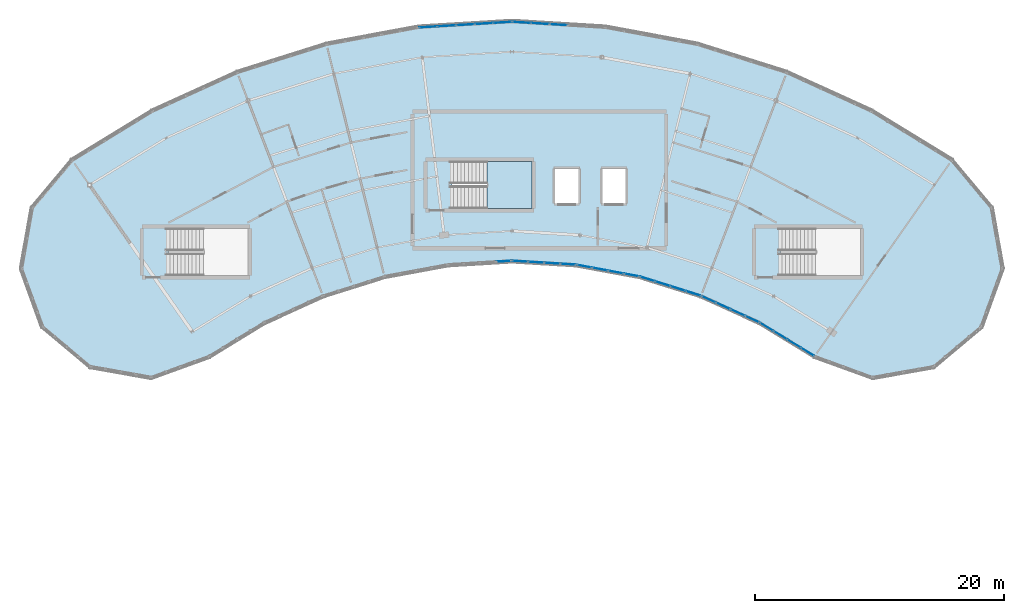
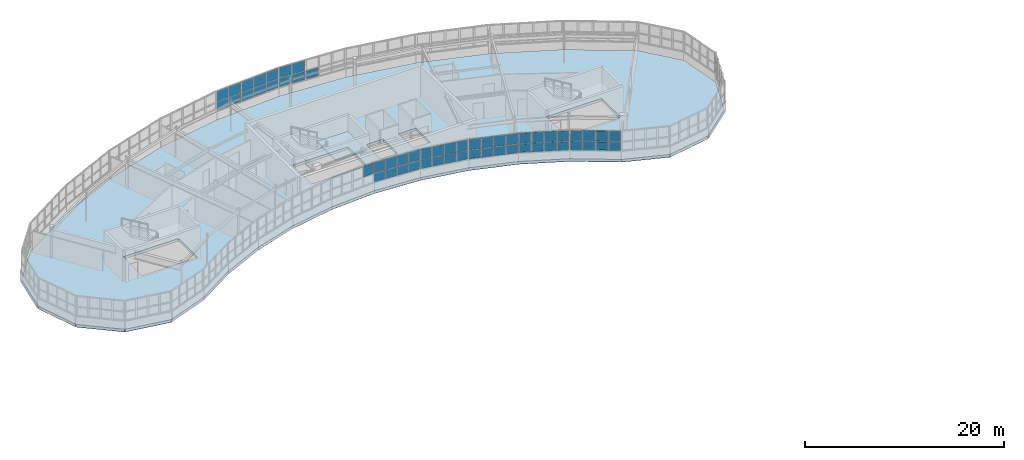
# One storey, part 42 of 65: 56 plates, 2 slabs, 9 elements without a shape of their own.
"""IFC4 building model written with IfcOpenShell, lengths in metres."""

from ifc_helpers import new_model, si_unit, direction, frame, origin, origin_2d, place, context, subcontext, project, spatial, polyline, rectangle, outline, extrude, material, layer, layer_set, type_object, element, aggregate, save


model = new_model("IFC4")

# Units and contexts
model_context = context("Model", 3, precision=1e-05, world=origin(), true_north=direction((0.0, 1.0)))
body_context = subcontext(model_context, "Body", "Model", "MODEL_VIEW")
ifc_project = project(units=[si_unit("LENGTHUNIT", "METRE"), si_unit("AREAUNIT", "SQUARE_METRE"), si_unit("VOLUMEUNIT", "CUBIC_METRE"), si_unit("PLANEANGLEUNIT", "RADIAN"), si_unit("MASSUNIT", "GRAM", prefix="KILO")], contexts=[model_context])

# Site, building, storey
site_placement = place(None, origin())
site = spatial("IfcSite", under=ifc_project, at=site_placement, CompositionType="ELEMENT")
building_placement = place(site_placement, origin())
building = spatial("IfcBuilding", under=site, at=building_placement, Name="Tarnwether General Hospital", CompositionType="ELEMENT")
storey_placement = place(building_placement, frame((0.0, 0.0, 22.199951171875)))
storey = spatial("IfcBuildingStorey", under=building, at=storey_placement, Name="L05", CompositionType="ELEMENT", Elevation=22.199951171875)

# Curtain wall, plates
ifc_material_1 = material(Name="Anodised aluminium", Category="aluminium")
ifc_layer_1 = layer(ifc_material_1, 0.159912109375)
ifc_layer_set_1 = layer_set([ifc_layer_1], Name="Anodised aluminium")
curtain_wall_type_1 = type_object("IfcCurtainWallType", Name="CW-03", PredefinedType="NOTDEFINED", material=ifc_layer_set_1)
curtain_wall_1_placement = place(storey_placement, origin())
curtain_wall_1 = element("IfcCurtainWall", 1, at=curtain_wall_1_placement, inside=storey, type_object=curtain_wall_type_1, Name="Curtain Wall CWG-L05-972_1051-0075", PredefinedType="NOTDEFINED")
ifc_material_2 = material(Name="Double glazed low-E glass", Category="glass")
ifc_layer_2 = layer(ifc_material_2, 0.028076171875)
ifc_layer_set_2 = layer_set([ifc_layer_2], Name="Double glazed low-E glass")
plate_type_1 = type_object("IfcPlateType", Name="PT-CWP1", PredefinedType="CURTAIN_PANEL", material=ifc_layer_set_2)
plate_1_placement = place(storey_placement, frame((96.5048828125, 105.12451171875, 1.115234375), z_axis=(0.0, 0.0, 1.0), x_axis=(-0.998135119267, 0.06104329354, 0.0)))
plate_1 = element("IfcPlate", 2, at=plate_1_placement, type_object=plate_type_1, Name="CW-03 panel 1.1", PredefinedType="CURTAIN_PANEL", context=body_context, shape_type="SweptSolid", body=[
    extrude(rectangle(XDim=1.19677734375, YDim=0.028076171875, at=origin_2d()), origin(), (0.0, 0.0, 1.0), 1.031982421875),
])
plate_2_placement = place(storey_placement, frame((96.5048828125, 105.12451171875, 2.2119140625), z_axis=(0.0, 0.0, 1.0), x_axis=(-0.998135119267, 0.06104329354, 0.0)))
plate_2 = element("IfcPlate", 3, at=plate_2_placement, type_object=plate_type_1, Name="CW-03 panel 1.2", PredefinedType="CURTAIN_PANEL", context=body_context, shape_type="SweptSolid", body=[
    extrude(rectangle(XDim=1.19677734375, YDim=0.028076171875, at=origin_2d()), origin(), (0.0, 0.0, 1.0), 1.282958984375),
])
plate_3_placement = place(storey_placement, frame((95.2294921875, 105.202392578125, 1.115234375), z_axis=(0.0, 0.0, 1.0), x_axis=(-0.998135119267, 0.06104329354, 0.0)))
plate_3 = element("IfcPlate", 4, at=plate_3_placement, type_object=plate_type_1, Name="CW-03 panel 2.1", PredefinedType="CURTAIN_PANEL", context=body_context, shape_type="SweptSolid", body=[
    extrude(rectangle(XDim=1.229248046875, YDim=0.028076171875, at=origin_2d()), origin(), (0.0, 0.0, 1.0), 1.031982421875),
])
plate_4_placement = place(storey_placement, frame((95.2294921875, 105.202392578125, 2.2119140625), z_axis=(0.0, 0.0, 1.0), x_axis=(-0.998135119267, 0.06104329354, 0.0)))
plate_4 = element("IfcPlate", 5, at=plate_4_placement, type_object=plate_type_1, Name="CW-03 panel 2.2", PredefinedType="CURTAIN_PANEL", context=body_context, shape_type="SweptSolid", body=[
    extrude(rectangle(XDim=1.229248046875, YDim=0.028076171875, at=origin_2d()), origin(), (0.0, 0.0, 1.0), 1.282958984375),
])
plate_5_placement = place(storey_placement, frame((93.937744140625, 105.281494140625, 1.115234375), z_axis=(0.0, 0.0, 1.0), x_axis=(-0.998135119267, 0.06104329354, 0.0)))
plate_5 = element("IfcPlate", 6, at=plate_5_placement, type_object=plate_type_1, Name="CW-03 panel 3.1", PredefinedType="CURTAIN_PANEL", context=body_context, shape_type="SweptSolid", body=[
    extrude(rectangle(XDim=1.229248046875, YDim=0.028076171875, at=origin_2d()), origin(), (0.0, 0.0, 1.0), 1.031982421875),
])
plate_6_placement = place(storey_placement, frame((93.937744140625, 105.281494140625, 2.2119140625), z_axis=(0.0, 0.0, 1.0), x_axis=(-0.998135119267, 0.06104329354, 0.0)))
plate_6 = element("IfcPlate", 7, at=plate_6_placement, type_object=plate_type_1, Name="CW-03 panel 3.2", PredefinedType="CURTAIN_PANEL", context=body_context, shape_type="SweptSolid", body=[
    extrude(rectangle(XDim=1.229248046875, YDim=0.028076171875, at=origin_2d()), origin(), (0.0, 0.0, 1.0), 1.282958984375),
])
plate_7_placement = place(storey_placement, frame((92.662109375, 105.359619140625, 1.115234375), z_axis=(0.0, 0.0, 1.0), x_axis=(-0.998135119267, 0.06104329354, 0.0)))
plate_7 = element("IfcPlate", 8, at=plate_7_placement, type_object=plate_type_1, Name="CW-03 panel 4.1", PredefinedType="CURTAIN_PANEL", context=body_context, shape_type="SweptSolid", body=[
    extrude(rectangle(XDim=1.19677734375, YDim=0.028076171875, at=origin_2d()), origin(), (0.0, 0.0, 1.0), 1.031982421875),
])
plate_8_placement = place(storey_placement, frame((92.662109375, 105.359619140625, 2.2119140625), z_axis=(0.0, 0.0, 1.0), x_axis=(-0.998135119267, 0.06104329354, 0.0)))
plate_8 = element("IfcPlate", 9, at=plate_8_placement, type_object=plate_type_1, Name="CW-03 panel 4.2", PredefinedType="CURTAIN_PANEL", context=body_context, shape_type="SweptSolid", body=[
    extrude(rectangle(XDim=1.19677734375, YDim=0.028076171875, at=origin_2d()), origin(), (0.0, 0.0, 1.0), 1.282958984375),
])
aggregate(curtain_wall_1, [plate_1, plate_2, plate_3, plate_4, plate_5, plate_6, plate_7, plate_8])

curtain_wall_2_placement = place(storey_placement, origin())
curtain_wall_2 = element("IfcCurtainWall", 10, at=curtain_wall_2_placement, inside=storey, type_object=curtain_wall_type_1, Name="Curtain Wall CWG-L05-1023_1041-0076", PredefinedType="NOTDEFINED")
plate_9_placement = place(storey_placement, frame((101.60107421875, 104.262451171875, 1.1298828125), z_axis=(0.0, 0.0, 1.0), x_axis=(-0.983267910924, 0.182165351666, 0.0)))
plate_9 = element("IfcPlate", 11, at=plate_9_placement, type_object=plate_type_1, Name="CW-03 panel 1.1", PredefinedType="CURTAIN_PANEL", context=body_context, shape_type="SweptSolid", body=[
    extrude(rectangle(XDim=1.174072265625, YDim=0.028076171875, at=origin_2d()), origin(), (0.0, 0.0, 1.0), 1.009521484375),
])
plate_10_placement = place(storey_placement, frame((101.60107421875, 104.262451171875, 2.2197265625), z_axis=(0.0, 0.0, 1.0), x_axis=(-0.983267910924, 0.182165351666, 0.0)))
plate_10 = element("IfcPlate", 12, at=plate_10_placement, type_object=plate_type_1, Name="CW-03 panel 1.2", PredefinedType="CURTAIN_PANEL", context=body_context, shape_type="SweptSolid", body=[
    extrude(rectangle(XDim=1.174072265625, YDim=0.028076171875, at=origin_2d()), origin(), (0.0, 0.0, 1.0), 1.260498046875),
])
plate_11_placement = place(storey_placement, frame((100.34814453125, 104.49462890625, 1.1298828125), z_axis=(0.0, 0.0, 1.0), x_axis=(-0.983267910924, 0.182165351666, 0.0)))
plate_11 = element("IfcPlate", 13, at=plate_11_placement, type_object=plate_type_1, Name="CW-03 panel 2.1", PredefinedType="CURTAIN_PANEL", context=body_context, shape_type="SweptSolid", body=[
    extrude(rectangle(XDim=1.214111328125, YDim=0.028076171875, at=origin_2d()), origin(), (0.0, 0.0, 1.0), 1.009521484375),
])
plate_12_placement = place(storey_placement, frame((100.34814453125, 104.49462890625, 2.2197265625), z_axis=(0.0, 0.0, 1.0), x_axis=(-0.983267910924, 0.182165351666, 0.0)))
plate_12 = element("IfcPlate", 14, at=plate_12_placement, type_object=plate_type_1, Name="CW-03 panel 2.2", PredefinedType="CURTAIN_PANEL", context=body_context, shape_type="SweptSolid", body=[
    extrude(rectangle(XDim=1.214111328125, YDim=0.028076171875, at=origin_2d()), origin(), (0.0, 0.0, 1.0), 1.260498046875),
])
plate_13_placement = place(storey_placement, frame((99.07568359375, 104.73046875, 1.1298828125), z_axis=(0.0, 0.0, 1.0), x_axis=(-0.983267910924, 0.182165351666, 0.0)))
plate_13 = element("IfcPlate", 15, at=plate_13_placement, type_object=plate_type_1, Name="CW-03 panel 3.1", PredefinedType="CURTAIN_PANEL", context=body_context, shape_type="SweptSolid", body=[
    extrude(rectangle(XDim=1.214111328125, YDim=0.028076171875, at=origin_2d()), origin(), (0.0, 0.0, 1.0), 1.009521484375),
])
plate_14_placement = place(storey_placement, frame((99.07568359375, 104.73046875, 2.2197265625), z_axis=(0.0, 0.0, 1.0), x_axis=(-0.983267910924, 0.182165351666, 0.0)))
plate_14 = element("IfcPlate", 16, at=plate_14_placement, type_object=plate_type_1, Name="CW-03 panel 3.2", PredefinedType="CURTAIN_PANEL", context=body_context, shape_type="SweptSolid", body=[
    extrude(rectangle(XDim=1.214111328125, YDim=0.028076171875, at=origin_2d()), origin(), (0.0, 0.0, 1.0), 1.260498046875),
])
plate_15_placement = place(storey_placement, frame((97.822998046875, 104.96240234375, 1.1298828125), z_axis=(0.0, 0.0, 1.0), x_axis=(-0.983267910924, 0.182165351666, 0.0)))
plate_15 = element("IfcPlate", 17, at=plate_15_placement, type_object=plate_type_1, Name="CW-03 panel 4.1", PredefinedType="CURTAIN_PANEL", context=body_context, shape_type="SweptSolid", body=[
    extrude(rectangle(XDim=1.174072265625, YDim=0.028076171875, at=origin_2d()), origin(), (0.0, 0.0, 1.0), 1.009521484375),
])
plate_16_placement = place(storey_placement, frame((97.822998046875, 104.96240234375, 2.2197265625), z_axis=(0.0, 0.0, 1.0), x_axis=(-0.983267910924, 0.182165351666, 0.0)))
plate_16 = element("IfcPlate", 18, at=plate_16_placement, type_object=plate_type_1, Name="CW-03 panel 4.2", PredefinedType="CURTAIN_PANEL", context=body_context, shape_type="SweptSolid", body=[
    extrude(rectangle(XDim=1.174072265625, YDim=0.028076171875, at=origin_2d()), origin(), (0.0, 0.0, 1.0), 1.260498046875),
])
aggregate(curtain_wall_2, [plate_9, plate_10, plate_11, plate_12, plate_13, plate_14, plate_15, plate_16])

curtain_wall_3_placement = place(storey_placement, origin())
curtain_wall_3 = element("IfcCurtainWall", 19, at=curtain_wall_3_placement, inside=storey, type_object=curtain_wall_type_1, Name="Curtain Wall CWG-L05-1119_1004-0078", PredefinedType="NOTDEFINED")
plate_17_placement = place(storey_placement, frame((111.30126953125, 100.712646484375, 1.1201171875), z_axis=(0.0, 0.0, 1.0), x_axis=(-0.90995590549, 0.41470501572, 0.0)))
plate_17 = element("IfcPlate", 20, at=plate_17_placement, type_object=plate_type_1, Name="CW-03 panel 1.1", PredefinedType="CURTAIN_PANEL", context=body_context, shape_type="SweptSolid", body=[
    extrude(rectangle(XDim=1.189208984375, YDim=0.028076171875, at=origin_2d()), origin(), (0.0, 0.0, 1.0), 1.0244140625),
])
plate_18_placement = place(storey_placement, frame((111.30126953125, 100.712646484375, 2.214599609375), z_axis=(0.0, 0.0, 1.0), x_axis=(-0.90995590549, 0.41470501572, 0.0)))
plate_18 = element("IfcPlate", 21, at=plate_18_placement, type_object=plate_type_1, Name="CW-03 panel 1.2", PredefinedType="CURTAIN_PANEL", context=body_context, shape_type="SweptSolid", body=[
    extrude(rectangle(XDim=1.189208984375, YDim=0.028076171875, at=origin_2d()), origin(), (0.0, 0.0, 1.0), 1.275390625),
])
plate_19_placement = place(storey_placement, frame((110.139404296875, 101.2421875, 1.1201171875), z_axis=(0.0, 0.0, 1.0), x_axis=(-0.90995590549, 0.41470501572, 0.0)))
plate_19 = element("IfcPlate", 22, at=plate_19_placement, type_object=plate_type_1, Name="CW-03 panel 2.1", PredefinedType="CURTAIN_PANEL", context=body_context, shape_type="SweptSolid", body=[
    extrude(rectangle(XDim=1.224365234375, YDim=0.028076171875, at=origin_2d()), origin(), (0.0, 0.0, 1.0), 1.0244140625),
])
plate_20_placement = place(storey_placement, frame((110.139404296875, 101.2421875, 2.214599609375), z_axis=(0.0, 0.0, 1.0), x_axis=(-0.90995590549, 0.41470501572, 0.0)))
plate_20 = element("IfcPlate", 23, at=plate_20_placement, type_object=plate_type_1, Name="CW-03 panel 2.2", PredefinedType="CURTAIN_PANEL", context=body_context, shape_type="SweptSolid", body=[
    extrude(rectangle(XDim=1.224365234375, YDim=0.028076171875, at=origin_2d()), origin(), (0.0, 0.0, 1.0), 1.275390625),
])
plate_21_placement = place(storey_placement, frame((108.961669921875, 101.77880859375, 1.1201171875), z_axis=(0.0, 0.0, 1.0), x_axis=(-0.90995590549, 0.41470501572, 0.0)))
plate_21 = element("IfcPlate", 24, at=plate_21_placement, type_object=plate_type_1, Name="CW-03 panel 3.1", PredefinedType="CURTAIN_PANEL", context=body_context, shape_type="SweptSolid", body=[
    extrude(rectangle(XDim=1.224365234375, YDim=0.028076171875, at=origin_2d()), origin(), (0.0, 0.0, 1.0), 1.0244140625),
])
plate_22_placement = place(storey_placement, frame((108.961669921875, 101.77880859375, 2.214599609375), z_axis=(0.0, 0.0, 1.0), x_axis=(-0.90995590549, 0.41470501572, 0.0)))
plate_22 = element("IfcPlate", 25, at=plate_22_placement, type_object=plate_type_1, Name="CW-03 panel 3.2", PredefinedType="CURTAIN_PANEL", context=body_context, shape_type="SweptSolid", body=[
    extrude(rectangle(XDim=1.224365234375, YDim=0.028076171875, at=origin_2d()), origin(), (0.0, 0.0, 1.0), 1.275390625),
])
plate_23_placement = place(storey_placement, frame((107.7998046875, 102.308349609375, 1.1201171875), z_axis=(0.0, 0.0, 1.0), x_axis=(-0.90995590549, 0.41470501572, 0.0)))
plate_23 = element("IfcPlate", 26, at=plate_23_placement, type_object=plate_type_1, Name="CW-03 panel 4.1", PredefinedType="CURTAIN_PANEL", context=body_context, shape_type="SweptSolid", body=[
    extrude(rectangle(XDim=1.189208984375, YDim=0.028076171875, at=origin_2d()), origin(), (0.0, 0.0, 1.0), 1.0244140625),
])
plate_24_placement = place(storey_placement, frame((107.7998046875, 102.308349609375, 2.214599609375), z_axis=(0.0, 0.0, 1.0), x_axis=(-0.90995590549, 0.41470501572, 0.0)))
plate_24 = element("IfcPlate", 27, at=plate_24_placement, type_object=plate_type_1, Name="CW-03 panel 4.2", PredefinedType="CURTAIN_PANEL", context=body_context, shape_type="SweptSolid", body=[
    extrude(rectangle(XDim=1.189208984375, YDim=0.028076171875, at=origin_2d()), origin(), (0.0, 0.0, 1.0), 1.275390625),
])
aggregate(curtain_wall_3, [plate_17, plate_18, plate_19, plate_20, plate_21, plate_22, plate_23, plate_24])

curtain_wall_4_placement = place(storey_placement, origin())
curtain_wall_4 = element("IfcCurtainWall", 28, at=curtain_wall_4_placement, inside=storey, type_object=curtain_wall_type_1, Name="Curtain Wall CWG-L05-1163_977-0079", PredefinedType="NOTDEFINED")
plate_25_placement = place(storey_placement, frame((115.75439453125, 98.07861328125, 1.115234375), z_axis=(0.0, 0.0, 1.0), x_axis=(-0.852631789198, 0.522512231483, 0.0)))
plate_25 = element("IfcPlate", 29, at=plate_25_placement, type_object=plate_type_1, Name="CW-03 panel 1.1", PredefinedType="CURTAIN_PANEL", context=body_context, shape_type="SweptSolid", body=[
    extrude(rectangle(XDim=1.19677734375, YDim=0.028076171875, at=origin_2d()), origin(), (0.0, 0.0, 1.0), 1.031982421875),
])
plate_26_placement = place(storey_placement, frame((115.75439453125, 98.07861328125, 2.2119140625), z_axis=(0.0, 0.0, 1.0), x_axis=(-0.852631789198, 0.522512231483, 0.0)))
plate_26 = element("IfcPlate", 30, at=plate_26_placement, type_object=plate_type_1, Name="CW-03 panel 1.2", PredefinedType="CURTAIN_PANEL", context=body_context, shape_type="SweptSolid", body=[
    extrude(rectangle(XDim=1.19677734375, YDim=0.028076171875, at=origin_2d()), origin(), (0.0, 0.0, 1.0), 1.282958984375),
])
plate_27_placement = place(storey_placement, frame((114.664794921875, 98.746337890625, 1.115234375), z_axis=(0.0, 0.0, 1.0), x_axis=(-0.852631789198, 0.522512231483, 0.0)))
plate_27 = element("IfcPlate", 31, at=plate_27_placement, type_object=plate_type_1, Name="CW-03 panel 2.1", PredefinedType="CURTAIN_PANEL", context=body_context, shape_type="SweptSolid", body=[
    extrude(rectangle(XDim=1.229248046875, YDim=0.028076171875, at=origin_2d()), origin(), (0.0, 0.0, 1.0), 1.031982421875),
])
plate_28_placement = place(storey_placement, frame((114.664794921875, 98.746337890625, 2.2119140625), z_axis=(0.0, 0.0, 1.0), x_axis=(-0.852631789198, 0.522512231483, 0.0)))
plate_28 = element("IfcPlate", 32, at=plate_28_placement, type_object=plate_type_1, Name="CW-03 panel 2.2", PredefinedType="CURTAIN_PANEL", context=body_context, shape_type="SweptSolid", body=[
    extrude(rectangle(XDim=1.229248046875, YDim=0.028076171875, at=origin_2d()), origin(), (0.0, 0.0, 1.0), 1.282958984375),
])
plate_29_placement = place(storey_placement, frame((113.561279296875, 99.422607421875, 1.115234375), z_axis=(0.0, 0.0, 1.0), x_axis=(-0.852631789198, 0.522512231483, 0.0)))
plate_29 = element("IfcPlate", 33, at=plate_29_placement, type_object=plate_type_1, Name="CW-03 panel 3.1", PredefinedType="CURTAIN_PANEL", context=body_context, shape_type="SweptSolid", body=[
    extrude(rectangle(XDim=1.229248046875, YDim=0.028076171875, at=origin_2d()), origin(), (0.0, 0.0, 1.0), 1.031982421875),
])
plate_30_placement = place(storey_placement, frame((113.561279296875, 99.422607421875, 2.2119140625), z_axis=(0.0, 0.0, 1.0), x_axis=(-0.852631789198, 0.522512231483, 0.0)))
plate_30 = element("IfcPlate", 34, at=plate_30_placement, type_object=plate_type_1, Name="CW-03 panel 3.2", PredefinedType="CURTAIN_PANEL", context=body_context, shape_type="SweptSolid", body=[
    extrude(rectangle(XDim=1.229248046875, YDim=0.028076171875, at=origin_2d()), origin(), (0.0, 0.0, 1.0), 1.282958984375),
])
plate_31_placement = place(storey_placement, frame((112.4716796875, 100.09033203125, 1.115234375), z_axis=(0.0, 0.0, 1.0), x_axis=(-0.852631789198, 0.522512231483, 0.0)))
plate_31 = element("IfcPlate", 35, at=plate_31_placement, type_object=plate_type_1, Name="CW-03 panel 4.1", PredefinedType="CURTAIN_PANEL", context=body_context, shape_type="SweptSolid", body=[
    extrude(rectangle(XDim=1.19677734375, YDim=0.028076171875, at=origin_2d()), origin(), (0.0, 0.0, 1.0), 1.031982421875),
])
plate_32_placement = place(storey_placement, frame((112.4716796875, 100.09033203125, 2.2119140625), z_axis=(0.0, 0.0, 1.0), x_axis=(-0.852631789198, 0.522512231483, 0.0)))
plate_32 = element("IfcPlate", 36, at=plate_32_placement, type_object=plate_type_1, Name="CW-03 panel 4.2", PredefinedType="CURTAIN_PANEL", context=body_context, shape_type="SweptSolid", body=[
    extrude(rectangle(XDim=1.19677734375, YDim=0.028076171875, at=origin_2d()), origin(), (0.0, 0.0, 1.0), 1.282958984375),
])
aggregate(curtain_wall_4, [plate_25, plate_26, plate_27, plate_28, plate_29, plate_30, plate_31, plate_32])

ifc_material_3 = material(Name="Anodised aluminium", Category="aluminium")
ifc_layer_3 = layer(ifc_material_3, 0.159912109375)
ifc_layer_set_3 = layer_set([ifc_layer_3], Name="Anodised aluminium")
curtain_wall_type_2 = type_object("IfcCurtainWallType", Name="CW-05", PredefinedType="NOTDEFINED", material=ifc_layer_set_3)
curtain_wall_5_placement = place(storey_placement, origin())
curtain_wall_5 = element("IfcCurtainWall", 37, at=curtain_wall_5_placement, inside=storey, type_object=curtain_wall_type_2, Name="Curtain Wall CWG-L05-920_1246-0090", PredefinedType="NOTDEFINED")
plate_33_placement = place(storey_placement, frame((92.76806640625, 124.552978515625, 1.1201171875), z_axis=(0.0, 0.0, 1.0), x_axis=(0.998135995608, -0.061028962567, 0.0)))
plate_33 = element("IfcPlate", 38, at=plate_33_placement, type_object=plate_type_1, Name="CW-05 panel 1.1", PredefinedType="CURTAIN_PANEL", context=body_context, shape_type="SweptSolid", body=[
    extrude(rectangle(XDim=1.399169921875, YDim=0.028076171875, at=origin_2d()), origin(), (0.0, 0.0, 1.0), 1.0244140625),
])
plate_34_placement = place(storey_placement, frame((92.76806640625, 124.552978515625, 2.214599609375), z_axis=(0.0, 0.0, 1.0), x_axis=(0.998135995608, -0.061028962567, 0.0)))
plate_34 = element("IfcPlate", 39, at=plate_34_placement, type_object=plate_type_1, Name="CW-05 panel 1.2", PredefinedType="CURTAIN_PANEL", context=body_context, shape_type="SweptSolid", body=[
    extrude(rectangle(XDim=1.399169921875, YDim=0.028076171875, at=origin_2d()), origin(), (0.0, 0.0, 1.0), 1.275390625),
])
plate_35_placement = place(storey_placement, frame((94.252197265625, 124.46240234375, 1.1201171875), z_axis=(0.0, 0.0, 1.0), x_axis=(0.998135995608, -0.061028962567, 0.0)))
plate_35 = element("IfcPlate", 40, at=plate_35_placement, type_object=plate_type_1, Name="CW-05 panel 2.1", PredefinedType="CURTAIN_PANEL", context=body_context, shape_type="SweptSolid", body=[
    extrude(rectangle(XDim=1.43408203125, YDim=0.028076171875, at=origin_2d()), origin(), (0.0, 0.0, 1.0), 1.0244140625),
])
plate_36_placement = place(storey_placement, frame((94.252197265625, 124.46240234375, 2.214599609375), z_axis=(0.0, 0.0, 1.0), x_axis=(0.998135995608, -0.061028962567, 0.0)))
plate_36 = element("IfcPlate", 41, at=plate_36_placement, type_object=plate_type_1, Name="CW-05 panel 2.2", PredefinedType="CURTAIN_PANEL", context=body_context, shape_type="SweptSolid", body=[
    extrude(rectangle(XDim=1.43408203125, YDim=0.028076171875, at=origin_2d()), origin(), (0.0, 0.0, 1.0), 1.275390625),
])
plate_37_placement = place(storey_placement, frame((95.75341796875, 124.37060546875, 1.1201171875), z_axis=(0.0, 0.0, 1.0), x_axis=(0.998135995608, -0.061028962567, 0.0)))
plate_37 = element("IfcPlate", 42, at=plate_37_placement, type_object=plate_type_1, Name="CW-05 panel 3.1", PredefinedType="CURTAIN_PANEL", context=body_context, shape_type="SweptSolid", body=[
    extrude(rectangle(XDim=1.43408203125, YDim=0.028076171875, at=origin_2d()), origin(), (0.0, 0.0, 1.0), 1.0244140625),
])
aggregate(curtain_wall_5, [plate_33, plate_34, plate_35, plate_36, plate_37])

curtain_wall_6_placement = place(storey_placement, origin())
curtain_wall_6 = element("IfcCurtainWall", 43, at=curtain_wall_6_placement, inside=storey, type_object=curtain_wall_type_2, Name="Curtain Wall CWG-L05-845_1241-0091", PredefinedType="NOTDEFINED")
plate_38_placement = place(storey_placement, frame((85.260009765625, 124.18798828125, 1.115234375), z_axis=(0.0, 0.0, 1.0), x_axis=(0.998135995608, 0.061028962567, 0.0)))
plate_38 = element("IfcPlate", 44, at=plate_38_placement, type_object=plate_type_1, Name="CW-05 panel 1.1", PredefinedType="CURTAIN_PANEL", context=body_context, shape_type="SweptSolid", body=[
    extrude(rectangle(XDim=1.40673828125, YDim=0.028076171875, at=origin_2d()), origin(), (0.0, 0.0, 1.0), 1.031982421875),
])
plate_39_placement = place(storey_placement, frame((85.260009765625, 124.18798828125, 2.2119140625), z_axis=(0.0, 0.0, 1.0), x_axis=(0.998135995608, 0.061028962567, 0.0)))
plate_39 = element("IfcPlate", 45, at=plate_39_placement, type_object=plate_type_1, Name="CW-05 panel 1.2", PredefinedType="CURTAIN_PANEL", context=body_context, shape_type="SweptSolid", body=[
    extrude(rectangle(XDim=1.40673828125, YDim=0.028076171875, at=origin_2d()), origin(), (0.0, 0.0, 1.0), 1.282958984375),
])
plate_40_placement = place(storey_placement, frame((86.7451171875, 124.27880859375, 1.115234375), z_axis=(0.0, 0.0, 1.0), x_axis=(0.998135995608, 0.061028962567, 0.0)))
plate_40 = element("IfcPlate", 46, at=plate_40_placement, type_object=plate_type_1, Name="CW-05 panel 2.1", PredefinedType="CURTAIN_PANEL", context=body_context, shape_type="SweptSolid", body=[
    extrude(rectangle(XDim=1.439208984375, YDim=0.028076171875, at=origin_2d()), origin(), (0.0, 0.0, 1.0), 1.031982421875),
])
plate_41_placement = place(storey_placement, frame((86.7451171875, 124.27880859375, 2.2119140625), z_axis=(0.0, 0.0, 1.0), x_axis=(0.998135995608, 0.061028962567, 0.0)))
plate_41 = element("IfcPlate", 47, at=plate_41_placement, type_object=plate_type_1, Name="CW-05 panel 2.2", PredefinedType="CURTAIN_PANEL", context=body_context, shape_type="SweptSolid", body=[
    extrude(rectangle(XDim=1.439208984375, YDim=0.028076171875, at=origin_2d()), origin(), (0.0, 0.0, 1.0), 1.282958984375),
])
plate_42_placement = place(storey_placement, frame((88.24658203125, 124.37060546875, 1.115234375), z_axis=(0.0, 0.0, 1.0), x_axis=(0.998135995608, 0.061028962567, 0.0)))
plate_42 = element("IfcPlate", 48, at=plate_42_placement, type_object=plate_type_1, Name="CW-05 panel 3.1", PredefinedType="CURTAIN_PANEL", context=body_context, shape_type="SweptSolid", body=[
    extrude(rectangle(XDim=1.439208984375, YDim=0.028076171875, at=origin_2d()), origin(), (0.0, 0.0, 1.0), 1.031982421875),
])
plate_43_placement = place(storey_placement, frame((88.24658203125, 124.37060546875, 2.2119140625), z_axis=(0.0, 0.0, 1.0), x_axis=(0.998135995608, 0.061028962567, 0.0)))
plate_43 = element("IfcPlate", 49, at=plate_43_placement, type_object=plate_type_1, Name="CW-05 panel 3.2", PredefinedType="CURTAIN_PANEL", context=body_context, shape_type="SweptSolid", body=[
    extrude(rectangle(XDim=1.439208984375, YDim=0.028076171875, at=origin_2d()), origin(), (0.0, 0.0, 1.0), 1.282958984375),
])
plate_44_placement = place(storey_placement, frame((89.747802734375, 124.46240234375, 1.115234375), z_axis=(0.0, 0.0, 1.0), x_axis=(0.998135995608, 0.061028962567, 0.0)))
plate_44 = element("IfcPlate", 50, at=plate_44_placement, type_object=plate_type_1, Name="CW-05 panel 4.1", PredefinedType="CURTAIN_PANEL", context=body_context, shape_type="SweptSolid", body=[
    extrude(rectangle(XDim=1.439208984375, YDim=0.028076171875, at=origin_2d()), origin(), (0.0, 0.0, 1.0), 1.031982421875),
])
plate_45_placement = place(storey_placement, frame((89.747802734375, 124.46240234375, 2.2119140625), z_axis=(0.0, 0.0, 1.0), x_axis=(0.998135995608, 0.061028962567, 0.0)))
plate_45 = element("IfcPlate", 51, at=plate_45_placement, type_object=plate_type_1, Name="CW-05 panel 4.2", PredefinedType="CURTAIN_PANEL", context=body_context, shape_type="SweptSolid", body=[
    extrude(rectangle(XDim=1.439208984375, YDim=0.028076171875, at=origin_2d()), origin(), (0.0, 0.0, 1.0), 1.282958984375),
])
plate_46_placement = place(storey_placement, frame((91.233154296875, 124.55322265625, 1.115234375), z_axis=(0.0, 0.0, 1.0), x_axis=(0.998135995608, 0.061028962567, 0.0)))
plate_46 = element("IfcPlate", 52, at=plate_46_placement, type_object=plate_type_1, Name="CW-05 panel 5.1", PredefinedType="CURTAIN_PANEL", context=body_context, shape_type="SweptSolid", body=[
    extrude(rectangle(XDim=1.40673828125, YDim=0.028076171875, at=origin_2d()), origin(), (0.0, 0.0, 1.0), 1.031982421875),
])
plate_47_placement = place(storey_placement, frame((91.233154296875, 124.55322265625, 2.2119140625), z_axis=(0.0, 0.0, 1.0), x_axis=(0.998135995608, 0.061028962567, 0.0)))
plate_47 = element("IfcPlate", 53, at=plate_47_placement, type_object=plate_type_1, Name="CW-05 panel 5.2", PredefinedType="CURTAIN_PANEL", context=body_context, shape_type="SweptSolid", body=[
    extrude(rectangle(XDim=1.40673828125, YDim=0.028076171875, at=origin_2d()), origin(), (0.0, 0.0, 1.0), 1.282958984375),
])
aggregate(curtain_wall_6, [plate_38, plate_39, plate_40, plate_41, plate_42, plate_43, plate_44, plate_45, plate_46, plate_47])

# Curtain wall, plate
curtain_wall_7_placement = place(storey_placement, origin())
curtain_wall_7 = element("IfcCurtainWall", 54, at=curtain_wall_7_placement, inside=storey, type_object=curtain_wall_type_1, Name="Curtain Wall CWG-L05-920_1054-0074", PredefinedType="NOTDEFINED")
ifc_material_4 = material(Name="Double glazed low-E glass", Category="glass")
ifc_layer_4 = layer(ifc_material_4, 0.035888671875)
ifc_layer_set_4 = layer_set([ifc_layer_4], Name="Double glazed low-E glass")
plate_type_2 = type_object("IfcPlateType", Name="PT-CWP2", PredefinedType="CURTAIN_PANEL", material=ifc_layer_set_4)
plate_48_placement = place(storey_placement, frame((91.336669921875, 105.359375, 2.214599609375), z_axis=(0.0, 0.0, 1.0), x_axis=(-0.998135119267, -0.06104329354, 0.0)))
plate_48 = element("IfcPlate", 55, at=plate_48_placement, type_object=plate_type_2, Name="CW-03 panel 1.2", PredefinedType="CURTAIN_PANEL", context=body_context, shape_type="SweptSolid", body=[
    extrude(rectangle(XDim=1.189208984375, YDim=0.035888671875, at=origin_2d()), origin(), (0.0, 0.0, 1.0), 1.275390625),
])
aggregate(curtain_wall_7, [plate_48])

# Curtain wall, plates
curtain_wall_8_placement = place(storey_placement, origin())
curtain_wall_8 = element("IfcCurtainWall", 56, at=curtain_wall_8_placement, inside=storey, type_object=curtain_wall_type_1, Name="Curtain Wall CWG-L05-1072_1026-0077", PredefinedType="NOTDEFINED")
plate_49_placement = place(storey_placement, frame((106.5634765625, 102.783203125, 1.110107421875), z_axis=(0.0, 0.0, 1.0), x_axis=(-0.953713927508, 0.30071538783, 0.0)))
plate_49 = element("IfcPlate", 57, at=plate_49_placement, type_object=plate_type_2, Name="CW-03 panel 1.1", PredefinedType="CURTAIN_PANEL", context=body_context, shape_type="SweptSolid", body=[
    extrude(rectangle(XDim=1.204345703125, YDim=0.035888671875, at=origin_2d()), origin(), (0.0, 0.0, 1.0), 1.03955078125),
])
plate_50_placement = place(storey_placement, frame((106.5634765625, 102.783203125, 2.20947265625), z_axis=(0.0, 0.0, 1.0), x_axis=(-0.953713927508, 0.30071538783, 0.0)))
plate_50 = element("IfcPlate", 58, at=plate_50_placement, type_object=plate_type_2, Name="CW-03 panel 1.2", PredefinedType="CURTAIN_PANEL", context=body_context, shape_type="SweptSolid", body=[
    extrude(rectangle(XDim=1.204345703125, YDim=0.035888671875, at=origin_2d()), origin(), (0.0, 0.0, 1.0), 1.29052734375),
])
plate_51_placement = place(storey_placement, frame((105.34326171875, 103.16796875, 1.110107421875), z_axis=(0.0, 0.0, 1.0), x_axis=(-0.953713927508, 0.30071538783, 0.0)))
plate_51 = element("IfcPlate", 59, at=plate_51_placement, type_object=plate_type_2, Name="CW-03 panel 2.1", PredefinedType="CURTAIN_PANEL", context=body_context, shape_type="SweptSolid", body=[
    extrude(rectangle(XDim=1.234375, YDim=0.035888671875, at=origin_2d()), origin(), (0.0, 0.0, 1.0), 1.03955078125),
])
plate_52_placement = place(storey_placement, frame((105.34326171875, 103.16796875, 2.20947265625), z_axis=(0.0, 0.0, 1.0), x_axis=(-0.953713927508, 0.30071538783, 0.0)))
plate_52 = element("IfcPlate", 60, at=plate_52_placement, type_object=plate_type_2, Name="CW-03 panel 2.2", PredefinedType="CURTAIN_PANEL", context=body_context, shape_type="SweptSolid", body=[
    extrude(rectangle(XDim=1.234375, YDim=0.035888671875, at=origin_2d()), origin(), (0.0, 0.0, 1.0), 1.29052734375),
])
plate_53_placement = place(storey_placement, frame((104.108642578125, 103.55712890625, 1.110107421875), z_axis=(0.0, 0.0, 1.0), x_axis=(-0.953713927508, 0.30071538783, 0.0)))
plate_53 = element("IfcPlate", 61, at=plate_53_placement, type_object=plate_type_2, Name="CW-03 panel 3.1", PredefinedType="CURTAIN_PANEL", context=body_context, shape_type="SweptSolid", body=[
    extrude(rectangle(XDim=1.234375, YDim=0.035888671875, at=origin_2d()), origin(), (0.0, 0.0, 1.0), 1.03955078125),
])
plate_54_placement = place(storey_placement, frame((104.108642578125, 103.55712890625, 2.20947265625), z_axis=(0.0, 0.0, 1.0), x_axis=(-0.953713927508, 0.30071538783, 0.0)))
plate_54 = element("IfcPlate", 62, at=plate_54_placement, type_object=plate_type_2, Name="CW-03 panel 3.2", PredefinedType="CURTAIN_PANEL", context=body_context, shape_type="SweptSolid", body=[
    extrude(rectangle(XDim=1.234375, YDim=0.035888671875, at=origin_2d()), origin(), (0.0, 0.0, 1.0), 1.29052734375),
])
plate_55_placement = place(storey_placement, frame((102.888671875, 103.94189453125, 1.110107421875), z_axis=(0.0, 0.0, 1.0), x_axis=(-0.953713927508, 0.30071538783, 0.0)))
plate_55 = element("IfcPlate", 63, at=plate_55_placement, type_object=plate_type_2, Name="CW-03 panel 4.1", PredefinedType="CURTAIN_PANEL", context=body_context, shape_type="SweptSolid", body=[
    extrude(rectangle(XDim=1.204345703125, YDim=0.035888671875, at=origin_2d()), origin(), (0.0, 0.0, 1.0), 1.03955078125),
])
plate_56_placement = place(storey_placement, frame((102.888671875, 103.94189453125, 2.20947265625), z_axis=(0.0, 0.0, 1.0), x_axis=(-0.953713927508, 0.30071538783, 0.0)))
plate_56 = element("IfcPlate", 64, at=plate_56_placement, type_object=plate_type_2, Name="CW-03 panel 4.2", PredefinedType="CURTAIN_PANEL", context=body_context, shape_type="SweptSolid", body=[
    extrude(rectangle(XDim=1.204345703125, YDim=0.035888671875, at=origin_2d()), origin(), (0.0, 0.0, 1.0), 1.29052734375),
])
aggregate(curtain_wall_8, [plate_49, plate_50, plate_51, plate_52, plate_53, plate_54, plate_55, plate_56])

# Slab
ifc_material_5 = material(Name="Concrete 40 MPa", Category="concrete")
ifc_layer_5 = layer(ifc_material_5, 0.340087890625)
ifc_layer_set_5 = layer_set([ifc_layer_5], Name="Concrete 40 MPa")
slab_type_1 = type_object("IfcSlabType", Name="SL-FL180", PredefinedType="FLOOR", material=ifc_layer_set_5)
slab_1_placement = place(storey_placement, frame((0.0, 0.0, -0.33984375)))
element("IfcSlab", 65, at=slab_1_placement, inside=storey, type_object=slab_type_1, Name="L05 North-West Oncology Ward Floor SL-L05-WNW", PredefinedType="FLOOR", context=body_context, shape_type="SweptSolid", body=[
    extrude(outline(polyline([(56.66796875, 113.4599609375), (63.0810546875, 117.389892578125), (69.925048828125, 120.509033203125), (77.097900390625, 122.77001953125), (84.492919921875, 124.14111328125), (92.0, 124.60009765625), (99.507080078125, 124.14111328125), (106.902099609375, 122.77001953125), (114.074951171875, 120.509033203125), (120.9189453125, 117.389892578125), (127.33203125, 113.4599609375), (130.527099609375, 109.653076171875), (131.388916015625, 104.759033203125), (129.68994140625, 100.090087890625), (125.883056640625, 96.89501953125), (120.989013671875, 96.031982421875), (116.320068359375, 97.73193359375), (111.906005859375, 100.43701171875), (107.195068359375, 102.583984375), (102.257080078125, 104.14111328125), (97.1669921875, 105.083984375), (92.0, 105.39990234375), (86.8330078125, 105.083984375), (81.742919921875, 104.14111328125), (76.804931640625, 102.583984375), (72.093994140625, 100.43701171875), (67.679931640625, 97.73193359375), (63.010986328125, 96.031982421875), (58.116943359375, 96.89501953125), (54.31005859375, 100.090087890625), (52.611083984375, 104.759033203125), (53.472900390625, 109.653076171875), (56.66796875, 113.4599609375)]), holes=[polyline([(64.3798828125, 108.0), (64.3798828125, 104.199951171875), (70.800048828125, 104.199951171875), (70.800048828125, 108.0), (64.3798828125, 108.0)]), polyline([(113.580078125, 108.0), (113.580078125, 104.199951171875), (120.0, 104.199951171875), (120.0, 108.0), (113.580078125, 108.0)]), polyline([(95.419921875, 112.830078125), (95.419921875, 109.969970703125), (97.3798828125, 109.969970703125), (97.3798828125, 112.830078125), (95.419921875, 112.830078125)]), polyline([(101.179931640625, 112.830078125), (99.219970703125, 112.830078125), (99.219970703125, 109.969970703125), (101.179931640625, 109.969970703125), (101.179931640625, 112.830078125)]), polyline([(93.60009765625, 113.39990234375), (87.179931640625, 113.39990234375), (87.179931640625, 109.60009765625), (93.60009765625, 109.60009765625), (93.60009765625, 113.39990234375)])]), origin(), (0.0, 0.0, 1.0), 0.33984375),
])

# Stair, slab
ifc_material_6 = material(Name="Concrete 40 MPa", Category="concrete")
stair_type = type_object("IfcStairType", Name="ST-DL39A", PredefinedType="HALF_TURN_STAIR", material=ifc_material_6)
stair_placement = place(storey_placement, origin())
stair = element("IfcStair", 66, at=stair_placement, inside=storey, type_object=stair_type, Name="L05 Exit Stair ST-01", PredefinedType="HALF_TURN_STAIR")
ifc_material_7 = material(Name="Concrete 40 MPa", Category="concrete")
ifc_layer_6 = layer(ifc_material_7, 0.199951171875)
ifc_layer_set_6 = layer_set([ifc_layer_6], Name="Concrete 40 MPa")
slab_type_2 = type_object("IfcSlabType", Name="SL-LD200", PredefinedType="LANDING", material=ifc_layer_set_6)
slab_2_placement = place(storey_placement, frame((0.0, 0.0, 1.75)))
slab_2 = element("IfcSlab", 67, at=slab_2_placement, type_object=slab_type_2, Name="ST-01 landing 1", PredefinedType="LANDING", context=body_context, shape_type="SweptSolid", body=[
    extrude(outline(polyline([(90.0, 109.60009765625), (93.60009765625, 109.60009765625), (93.60009765625, 113.39990234375), (90.0, 113.39990234375), (90.0, 109.60009765625)])), origin(), (0.0, 0.0, 1.0), 0.199951171875),
])
aggregate(stair, [slab_2])

save(model, "model.ifc")
